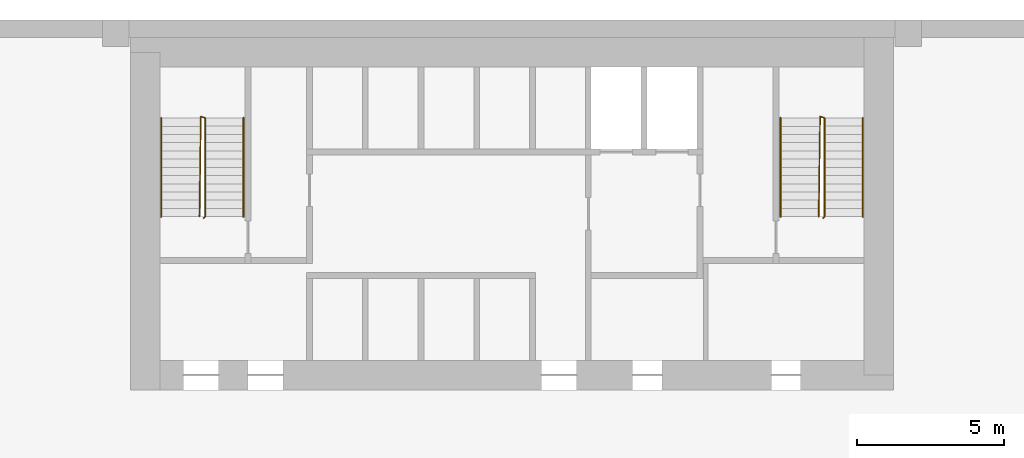
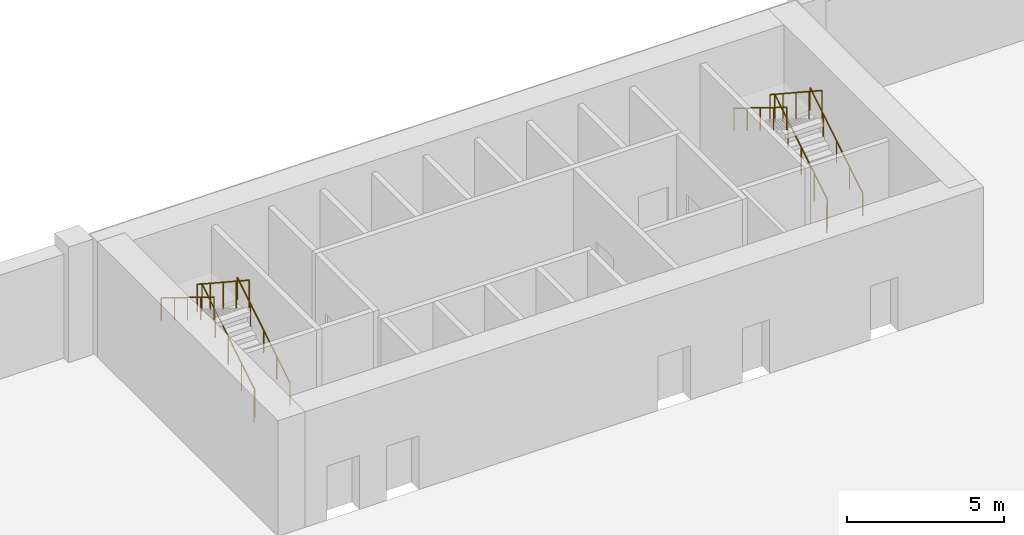
# One storey, part 3 of 3: 6 railings.
"""IFC4 building model written with IfcOpenShell, lengths in metres."""

from ifc_helpers import new_model, si_unit, direction, frame, origin, origin_2d, place, context, subcontext, project, spatial, circle, extrude, material, type_object, element, save


model = new_model("IFC4")

# Units and contexts
model_context = context("Model", 3, precision=1e-05, world=origin(), true_north=direction((0.0, 1.0)))
body_context = subcontext(model_context, "Body", "Model", "MODEL_VIEW")
ifc_project = project(units=[si_unit("LENGTHUNIT", "METRE"), si_unit("AREAUNIT", "SQUARE_METRE"), si_unit("VOLUMEUNIT", "CUBIC_METRE"), si_unit("PLANEANGLEUNIT", "RADIAN"), si_unit("MASSUNIT", "GRAM", prefix="KILO")], contexts=[model_context])

# Site, building, storey
site_placement = place(None, origin())
site = spatial("IfcSite", under=ifc_project, at=site_placement, CompositionType="ELEMENT")
building_placement = place(site_placement, origin())
building = spatial("IfcBuilding", under=site, at=building_placement, Name="Altiplano Prism Tower", CompositionType="ELEMENT")
storey_placement = place(building_placement, frame((0.0, 0.0, -4.5)))
storey = spatial("IfcBuildingStorey", under=building, at=storey_placement, Name="B1", CompositionType="ELEMENT", Elevation=-4.5)

# Railings
ifc_material = material(Name="Steel S355", Category="steel")
railing_type_1 = type_object("IfcRailingType", Name="Stair guard 1100", PredefinedType="GUARDRAIL", material=ifc_material)
railing_1_placement = place(storey_placement, frame((74.5, 98.25, 0.0)))
element("IfcRailing", 1, at=railing_1_placement, inside=storey, type_object=railing_type_1, Name="B1 ST1 stair guard 1", PredefinedType="GUARDRAIL", context=body_context, shape_type="SweptSolid", body=[
    extrude(circle(Radius=0.02392578125, at=origin_2d()), frame((0.0, 0.0, 1.076171875), z_axis=(0.267629722418, 0.267629722418, 0.925607186314), x_axis=(-0.707106781187, 0.707106781187, 0.0)), (0.0, 0.0, 1.0), 0.18701171875),
    extrude(circle(Radius=0.02392578125, at=origin_2d()), frame((0.050048828125, 0.050048828125, 1.2490234375), z_axis=(0.0, 0.850606129759, 0.525803396734), x_axis=(-1.0, 0.0, 0.0)), (0.0, 0.0, 1.0), 3.949951171875),
    extrude(circle(Radius=0.02392578125, at=origin_2d()), frame((0.050048828125, 3.409912109375, 3.326171875), z_axis=(-0.948683298051, 0.316227766017, 0.0), x_axis=(-0.316227766017, -0.948683298051, 0.0)), (0.0, 0.0, 1.0), 0.158203125),
    extrude(circle(Radius=0.02392578125, at=origin_2d()), frame((-0.10009765625, 3.4599609375, 3.326171875), z_axis=(-0.0121901703, -0.834608375372, 0.55070887001), x_axis=(0.999893351539, -0.01460429897, 0.0)), (0.0, 0.0, 1.0), 4.085693359375),
    extrude(circle(Radius=0.02099609375, at=origin_2d()), origin(), (0.0, 0.0, 1.0), 1.052001953125),
    extrude(circle(Radius=0.02099609375, at=origin_2d()), frame((0.050048828125, 0.050048828125, 0.173095703125)), (0.0, 0.0, 1.0), 1.052001953125),
    extrude(circle(Radius=0.02099609375, at=origin_2d()), frame((0.050048828125, 0.89013671875, 0.6923828125)), (0.0, 0.0, 1.0), 1.052001953125),
    extrude(circle(Radius=0.02099609375, at=origin_2d()), frame((0.050048828125, 1.72998046875, 1.21142578125)), (0.0, 0.0, 1.0), 1.052001953125),
    extrude(circle(Radius=0.02099609375, at=origin_2d()), frame((0.050048828125, 2.56982421875, 1.730712890625)), (0.0, 0.0, 1.0), 1.052001953125),
    extrude(circle(Radius=0.02099609375, at=origin_2d()), frame((0.050048828125, 3.409912109375, 2.25)), (0.0, 0.0, 1.0), 1.052001953125),
    extrude(circle(Radius=0.02099609375, at=origin_2d()), frame((-0.10009765625, 3.4599609375, 2.25)), (0.0, 0.0, 1.0), 1.052001953125),
    extrude(circle(Radius=0.02099609375, at=origin_2d()), frame((-0.112548828125, 2.607421875, 2.8125)), (0.0, 0.0, 1.0), 1.052001953125),
    extrude(circle(Radius=0.02099609375, at=origin_2d()), frame((-0.125, 1.7548828125, 3.375)), (0.0, 0.0, 1.0), 1.052001953125),
    extrude(circle(Radius=0.02099609375, at=origin_2d()), frame((-0.137451171875, 0.902587890625, 3.9375)), (0.0, 0.0, 1.0), 1.052001953125),
    extrude(circle(Radius=0.02099609375, at=origin_2d()), frame((-0.14990234375, 0.050048828125, 4.5)), (0.0, 0.0, 1.0), 1.052001953125),
])
railing_2_placement = place(storey_placement, frame((95.60009765625, 98.25, 0.0)))
element("IfcRailing", 2, at=railing_2_placement, inside=storey, type_object=railing_type_1, Name="B1 ST2 stair guard 1", PredefinedType="GUARDRAIL", context=body_context, shape_type="SweptSolid", body=[
    extrude(circle(Radius=0.02392578125, at=origin_2d()), frame((0.0, 0.0, 1.076171875), z_axis=(0.266417085129, 0.267723051232, 0.925929967433), x_axis=(-0.708833529934, 0.705375805398, 0.0)), (0.0, 0.0, 1.0), 0.18701171875),
    extrude(circle(Radius=0.02392578125, at=origin_2d()), frame((0.0498046875, 0.050048828125, 1.2490234375), z_axis=(0.0, 0.850606129759, 0.525803396734), x_axis=(-1.0, 0.0, 0.0)), (0.0, 0.0, 1.0), 3.949951171875),
    extrude(circle(Radius=0.02392578125, at=origin_2d()), frame((0.0498046875, 3.409912109375, 3.326171875), z_axis=(-0.948528701346, 0.316691178788, 0.0), x_axis=(-0.316691178788, -0.948528701346, 0.0)), (0.0, 0.0, 1.0), 0.157958984375),
    extrude(circle(Radius=0.02392578125, at=origin_2d()), frame((-0.10009765625, 3.4599609375, 3.326171875), z_axis=(-0.012249917091, -0.834607765926, 0.550708467873), x_axis=(0.999892303572, -0.014675873289, 0.0)), (0.0, 0.0, 1.0), 4.085693359375),
    extrude(circle(Radius=0.02099609375, at=origin_2d()), origin(), (0.0, 0.0, 1.0), 1.052001953125),
    extrude(circle(Radius=0.02099609375, at=origin_2d()), frame((0.0498046875, 0.050048828125, 0.173095703125)), (0.0, 0.0, 1.0), 1.052001953125),
    extrude(circle(Radius=0.02099609375, at=origin_2d()), frame((0.0498046875, 0.89013671875, 0.6923828125)), (0.0, 0.0, 1.0), 1.052001953125),
    extrude(circle(Radius=0.02099609375, at=origin_2d()), frame((0.0498046875, 1.72998046875, 1.21142578125)), (0.0, 0.0, 1.0), 1.052001953125),
    extrude(circle(Radius=0.02099609375, at=origin_2d()), frame((0.0498046875, 2.56982421875, 1.730712890625)), (0.0, 0.0, 1.0), 1.052001953125),
    extrude(circle(Radius=0.02099609375, at=origin_2d()), frame((0.0498046875, 3.409912109375, 2.25)), (0.0, 0.0, 1.0), 1.052001953125),
    extrude(circle(Radius=0.02099609375, at=origin_2d()), frame((-0.10009765625, 3.4599609375, 2.25)), (0.0, 0.0, 1.0), 1.052001953125),
    extrude(circle(Radius=0.02099609375, at=origin_2d()), frame((-0.112548828125, 2.607421875, 2.8125)), (0.0, 0.0, 1.0), 1.052001953125),
    extrude(circle(Radius=0.02099609375, at=origin_2d()), frame((-0.125, 1.7548828125, 3.375)), (0.0, 0.0, 1.0), 1.052001953125),
    extrude(circle(Radius=0.02099609375, at=origin_2d()), frame((-0.1376953125, 0.902587890625, 3.9375)), (0.0, 0.0, 1.0), 1.052001953125),
    extrude(circle(Radius=0.02099609375, at=origin_2d()), frame((-0.150146484375, 0.050048828125, 4.5)), (0.0, 0.0, 1.0), 1.052001953125),
])
railing_type_2 = type_object("IfcRailingType", Name="Stair handrail 900", PredefinedType="HANDRAIL", material=ifc_material)
railing_3_placement = place(storey_placement, frame((75.85009765625, 98.300048828125, 0.173095703125)))
element("IfcRailing", 3, at=railing_3_placement, inside=storey, type_object=railing_type_2, Name="B1 ST1 stair handrail 1", PredefinedType="HANDRAIL", context=body_context, shape_type="SweptSolid", body=[
    extrude(circle(Radius=0.02392578125, at=origin_2d()), frame((0.0, 0.0, 0.8759765625), z_axis=(0.0, 0.850606129759, 0.525803396734), x_axis=(-1.0, 0.0, 0.0)), (0.0, 0.0, 1.0), 3.949951171875),
    extrude(circle(Radius=0.02099609375, at=origin_2d()), origin(), (0.0, 0.0, 1.0), 0.851806640625),
    extrude(circle(Radius=0.02099609375, at=origin_2d()), frame((0.0, 0.83984375, 0.519287109375)), (0.0, 0.0, 1.0), 0.851806640625),
    extrude(circle(Radius=0.02099609375, at=origin_2d()), frame((0.0, 1.679931640625, 1.03857421875)), (0.0, 0.0, 1.0), 0.851806640625),
    extrude(circle(Radius=0.02099609375, at=origin_2d()), frame((0.0, 2.52001953125, 1.5576171875)), (0.0, 0.0, 1.0), 0.851806640625),
    extrude(circle(Radius=0.02099609375, at=origin_2d()), frame((0.0, 3.35986328125, 2.076904296875)), (0.0, 0.0, 1.0), 0.851806640625),
])
railing_4_placement = place(storey_placement, frame((73.050048828125, 101.659912109375, 2.423095703125)))
element("IfcRailing", 4, at=railing_4_placement, inside=storey, type_object=railing_type_2, Name="B1 ST1 stair handrail 2", PredefinedType="HANDRAIL", context=body_context, shape_type="SweptSolid", body=[
    extrude(circle(Radius=0.02392578125, at=origin_2d()), frame((0.0, 0.0, 0.8759765625), z_axis=(0.0, -0.850606129759, 0.525803396734), x_axis=(1.0, 0.0, 0.0)), (0.0, 0.0, 1.0), 3.949951171875),
    extrude(circle(Radius=0.02099609375, at=origin_2d()), origin(), (0.0, 0.0, 1.0), 0.851806640625),
    extrude(circle(Radius=0.02099609375, at=origin_2d()), frame((0.0, -0.83984375, 0.519287109375)), (0.0, 0.0, 1.0), 0.851806640625),
    extrude(circle(Radius=0.02099609375, at=origin_2d()), frame((0.0, -1.679931640625, 1.03857421875)), (0.0, 0.0, 1.0), 0.851806640625),
    extrude(circle(Radius=0.02099609375, at=origin_2d()), frame((0.0, -2.52001953125, 1.5576171875)), (0.0, 0.0, 1.0), 0.851806640625),
    extrude(circle(Radius=0.02099609375, at=origin_2d()), frame((0.0, -3.35986328125, 2.076904296875)), (0.0, 0.0, 1.0), 0.851806640625),
])
railing_5_placement = place(storey_placement, frame((96.949951171875, 98.300048828125, 0.173095703125)))
element("IfcRailing", 5, at=railing_5_placement, inside=storey, type_object=railing_type_2, Name="B1 ST2 stair handrail 1", PredefinedType="HANDRAIL", context=body_context, shape_type="SweptSolid", body=[
    extrude(circle(Radius=0.02392578125, at=origin_2d()), frame((0.0, 0.0, 0.8759765625), z_axis=(0.0, 0.850606129759, 0.525803396734), x_axis=(-1.0, 0.0, 0.0)), (0.0, 0.0, 1.0), 3.949951171875),
    extrude(circle(Radius=0.02099609375, at=origin_2d()), origin(), (0.0, 0.0, 1.0), 0.851806640625),
    extrude(circle(Radius=0.02099609375, at=origin_2d()), frame((0.0, 0.83984375, 0.519287109375)), (0.0, 0.0, 1.0), 0.851806640625),
    extrude(circle(Radius=0.02099609375, at=origin_2d()), frame((0.0, 1.679931640625, 1.03857421875)), (0.0, 0.0, 1.0), 0.851806640625),
    extrude(circle(Radius=0.02099609375, at=origin_2d()), frame((0.0, 2.52001953125, 1.5576171875)), (0.0, 0.0, 1.0), 0.851806640625),
    extrude(circle(Radius=0.02099609375, at=origin_2d()), frame((0.0, 3.35986328125, 2.076904296875)), (0.0, 0.0, 1.0), 0.851806640625),
])
railing_6_placement = place(storey_placement, frame((94.14990234375, 101.659912109375, 2.423095703125)))
element("IfcRailing", 6, at=railing_6_placement, inside=storey, type_object=railing_type_2, Name="B1 ST2 stair handrail 2", PredefinedType="HANDRAIL", context=body_context, shape_type="SweptSolid", body=[
    extrude(circle(Radius=0.02392578125, at=origin_2d()), frame((0.0, 0.0, 0.8759765625), z_axis=(0.0, -0.850606129759, 0.525803396734), x_axis=(1.0, 0.0, 0.0)), (0.0, 0.0, 1.0), 3.949951171875),
    extrude(circle(Radius=0.02099609375, at=origin_2d()), origin(), (0.0, 0.0, 1.0), 0.851806640625),
    extrude(circle(Radius=0.02099609375, at=origin_2d()), frame((0.0, -0.83984375, 0.519287109375)), (0.0, 0.0, 1.0), 0.851806640625),
    extrude(circle(Radius=0.02099609375, at=origin_2d()), frame((0.0, -1.679931640625, 1.03857421875)), (0.0, 0.0, 1.0), 0.851806640625),
    extrude(circle(Radius=0.02099609375, at=origin_2d()), frame((0.0, -2.52001953125, 1.5576171875)), (0.0, 0.0, 1.0), 0.851806640625),
    extrude(circle(Radius=0.02099609375, at=origin_2d()), frame((0.0, -3.35986328125, 2.076904296875)), (0.0, 0.0, 1.0), 0.851806640625),
])

save(model, "model.ifc")
